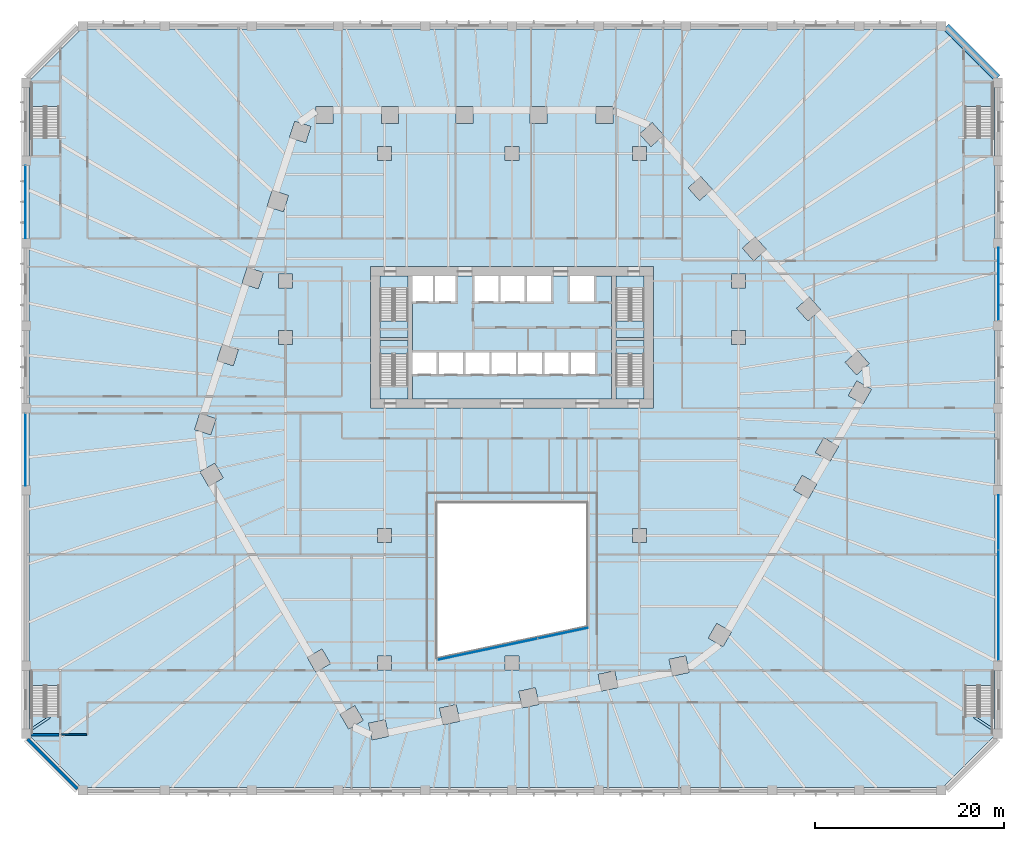
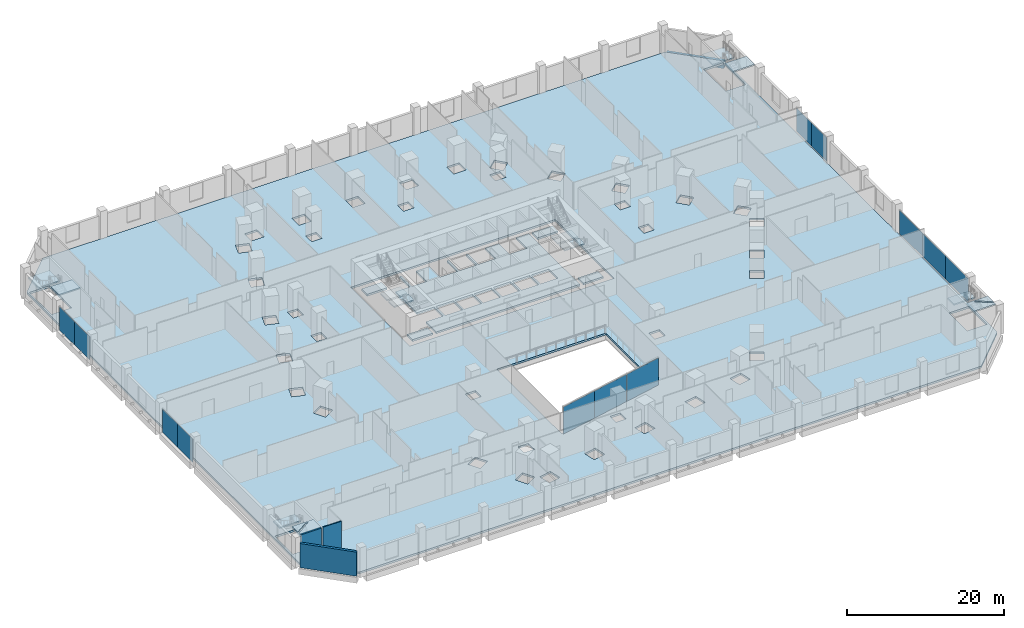
# One storey, part 13 of 33: 18 slabs, 12 plates, 3 walls, 1 beam, 13 elements without a shape of their own.
"""IFC4 building model written with IfcOpenShell, lengths in metres."""

from ifc_helpers import new_model, si_unit, direction, frame, frame_2d, origin, origin_2d, place, context, subcontext, project, spatial, polyline, rectangle, outline, extrude, material, layer, layer_set, material_profile, profile_set, type_object, element, aggregate, save


model = new_model("IFC4")

# Units and contexts
model_context = context("Model", 3, precision=1e-05, world=origin(), true_north=direction((0.0, 1.0)))
body_context = subcontext(model_context, "Body", "Model", "MODEL_VIEW")
ifc_project = project(units=[si_unit("LENGTHUNIT", "METRE"), si_unit("AREAUNIT", "SQUARE_METRE"), si_unit("VOLUMEUNIT", "CUBIC_METRE"), si_unit("PLANEANGLEUNIT", "RADIAN"), si_unit("MASSUNIT", "GRAM", prefix="KILO")], contexts=[model_context])

# Site, building, storey
site_placement = place(None, origin())
site = spatial("IfcSite", under=ifc_project, at=site_placement, CompositionType="ELEMENT")
building_placement = place(site_placement, origin())
building = spatial("IfcBuilding", under=site, at=building_placement, Name="Isthmus Gate Tower", CompositionType="ELEMENT")
storey_placement = place(building_placement, frame((0.0, 0.0, 31.5)))
storey = spatial("IfcBuildingStorey", under=building, at=storey_placement, Name="L05", CompositionType="ELEMENT", Elevation=31.5)

# Beam
ifc_material_1 = material(Name="Concrete f'c 70 MPa", Category="concrete")
ifc_material_profile = material_profile(ifc_material_1, rectangle(XDim=0.800048828125, YDim=0.89990234375, at=origin_2d()), Name="RC 800X900")
ifc_profile_set = profile_set([ifc_material_profile], Name="Concrete f'c 70 MPa")
beam_type = type_object("IfcBeamType", Name="RC EDGE BEAM 800 X 900", PredefinedType="BEAM", material=ifc_profile_set)
beam_placement = place(storey_placement, frame((46.0, 40.434326171875, -0.75), z_axis=(0.707106781187, -0.707106781187, 0.0), x_axis=(0.707106781187, 0.707106781187, 0.0)))
element("IfcBeam", 1, at=beam_placement, inside=storey, type_object=beam_type, Name="str-edgebeam-L05-19", PredefinedType="BEAM", context=body_context, shape_type="SweptSolid", body=[
    extrude(rectangle(XDim=0.800048828125, YDim=0.89990234375, at=origin_2d()), origin(), (0.0, 0.0, 1.0), 7.685302734375),
])

# Slabs
ifc_material_2 = material(Name="Concrete f'c 40 MPa", Category="concrete")
ifc_layer_1 = layer(ifc_material_2, 0.300048828125)
ifc_layer_set_1 = layer_set([ifc_layer_1], Name="CORE FLOOR SLAB 300")
slab_type_1 = type_object("IfcSlabType", Name="CORE FLOOR SLAB 300", PredefinedType="FLOOR", material=ifc_layer_set_1)
slab_1_placement = place(storey_placement, frame((0.0, 0.0, -0.300048828125)))
element("IfcSlab", 2, at=slab_1_placement, inside=storey, type_object=slab_type_1, Name="L05 core floor", PredefinedType="FLOOR", context=body_context, shape_type="SweptSolid", body=[
    extrude(outline(polyline([(-11.050048828125, 1.0), (-11.050048828125, 2.402099609375), (-14.0, 2.402099609375), (-14.0, 1.0), (-11.050048828125, 1.0)])), origin(), (0.0, 0.0, 1.0), 0.300048828125),
])
slab_2_placement = place(storey_placement, frame((0.0, 0.0, -0.300048828125)))
element("IfcSlab", 3, at=slab_2_placement, inside=storey, type_object=slab_type_1, Name="L05 core floor", PredefinedType="FLOOR", context=body_context, shape_type="SweptSolid", body=[
    extrude(outline(polyline([(-14.0, 14.0), (-14.0, 12.597900390625), (-11.050048828125, 12.597900390625), (-11.050048828125, 14.0), (-14.0, 14.0)])), origin(), (0.0, 0.0, 1.0), 0.300048828125),
])
slab_3_placement = place(storey_placement, frame((0.0, 0.0, -0.300048828125)))
element("IfcSlab", 4, at=slab_3_placement, inside=storey, type_object=slab_type_1, Name="L05 core floor", PredefinedType="FLOOR", context=body_context, shape_type="SweptSolid", body=[
    extrude(outline(polyline([(10.550048828125, 14.0), (8.699951171875, 14.0), (8.699951171875, 11.300048828125), (6.14990234375, 11.300048828125), (6.14990234375, 14.0), (4.14990234375, 14.0), (4.14990234375, 11.300048828125), (1.60009765625, 11.300048828125), (1.60009765625, 14.0), (1.35009765625, 14.0), (1.35009765625, 11.300048828125), (-1.199951171875, 11.300048828125), (-1.199951171875, 14.0), (-1.449951171875, 14.0), (-1.449951171875, 11.300048828125), (-4.0, 11.300048828125), (-4.0, 14.0), (-6.0, 14.0), (-6.0, 11.300048828125), (-8.14990234375, 11.300048828125), (-8.14990234375, 14.0), (-8.39990234375, 14.0), (-8.39990234375, 11.300048828125), (-10.550048828125, 11.300048828125), (-10.550048828125, 5.89990234375), (-8.0, 5.89990234375), (-8.0, 3.60009765625), (-10.550048828125, 3.60009765625), (-10.550048828125, 1.0), (10.550048828125, 1.0), (10.550048828125, 14.0)]), holes=[polyline([(-5.199951171875, 5.89990234375), (-5.199951171875, 3.60009765625), (-7.75, 3.60009765625), (-7.75, 5.89990234375), (-5.199951171875, 5.89990234375)]), polyline([(-2.39990234375, 5.89990234375), (-2.39990234375, 3.60009765625), (-4.949951171875, 3.60009765625), (-4.949951171875, 5.89990234375), (-2.39990234375, 5.89990234375)]), polyline([(0.39990234375, 5.89990234375), (0.39990234375, 3.60009765625), (-2.14990234375, 3.60009765625), (-2.14990234375, 5.89990234375), (0.39990234375, 5.89990234375)]), polyline([(3.199951171875, 5.89990234375), (3.199951171875, 3.60009765625), (0.64990234375, 3.60009765625), (0.64990234375, 5.89990234375), (3.199951171875, 5.89990234375)]), polyline([(6.0, 5.89990234375), (6.0, 3.60009765625), (3.449951171875, 3.60009765625), (3.449951171875, 5.89990234375), (6.0, 5.89990234375)]), polyline([(8.800048828125, 5.89990234375), (8.800048828125, 3.60009765625), (6.25, 3.60009765625), (6.25, 5.89990234375), (8.800048828125, 5.89990234375)])]), origin(), (0.0, 0.0, 1.0), 0.300048828125),
])
slab_4_placement = place(storey_placement, frame((0.0, 0.0, -0.300048828125)))
element("IfcSlab", 5, at=slab_4_placement, inside=storey, type_object=slab_type_1, Name="L05 core floor", PredefinedType="FLOOR", context=body_context, shape_type="SweptSolid", body=[
    extrude(outline(polyline([(14.0, 1.0), (14.0, 2.402099609375), (11.050048828125, 2.402099609375), (11.050048828125, 1.0), (14.0, 1.0)])), origin(), (0.0, 0.0, 1.0), 0.300048828125),
])
slab_5_placement = place(storey_placement, frame((0.0, 0.0, -0.300048828125)))
element("IfcSlab", 6, at=slab_5_placement, inside=storey, type_object=slab_type_1, Name="L05 core floor", PredefinedType="FLOOR", context=body_context, shape_type="SweptSolid", body=[
    extrude(outline(polyline([(11.050048828125, 14.0), (11.050048828125, 12.597900390625), (14.0, 12.597900390625), (14.0, 14.0), (11.050048828125, 14.0)])), origin(), (0.0, 0.0, 1.0), 0.300048828125),
])

# Curtain wall, plates
ifc_material_3 = material(Name="Aluminium, pale champagne anodised", Category="aluminium")
ifc_layer_2 = layer(ifc_material_3, 0.14990234375)
ifc_layer_set_2 = layer_set([ifc_layer_2], Name="CW-3 STOREFRONT CURTAIN WALL 150 DEEP")
curtain_wall_type_1 = type_object("IfcCurtainWallType", Name="CW-3 STOREFRONT CURTAIN WALL 150 DEEP", PredefinedType="NOTDEFINED", material=ifc_layer_set_2)
curtain_wall_1_placement = place(storey_placement, origin())
curtain_wall_1 = element("IfcCurtainWall", 7, at=curtain_wall_1_placement, inside=storey, type_object=curtain_wall_type_1, Name="CW-3 E L05", PredefinedType="NOTDEFINED")
ifc_material_4 = material(Name="Laminated low-iron glass, clear", Category="glass")
ifc_layer_3 = layer(ifc_material_4, 0.028076171875)
ifc_layer_set_3 = layer_set([ifc_layer_3], Name="CW-3 CLEAR GLASS LITE 28")
plate_type_1 = type_object("IfcPlateType", Name="CW-3 CLEAR GLASS LITE 28", PredefinedType="CURTAIN_PANEL", material=ifc_layer_set_3)
plate_1_placement = place(storey_placement, frame((51.574951171875, -23.836669921875, -0.300048828125), z_axis=(0.0, 0.0, 1.0), x_axis=(0.0, 1.0, 0.0)))
plate_1 = element("IfcPlate", 8, at=plate_1_placement, type_object=plate_type_1, Name="CW-3 glass lite", PredefinedType="CURTAIN_PANEL", context=body_context, shape_type="SweptSolid", body=[
    extrude(rectangle(XDim=5.806640625, YDim=0.028076171875, at=origin_2d()), origin(), (0.0, 0.0, 1.0), 3.6298828125),
])
plate_2_placement = place(storey_placement, frame((51.574951171875, -18.0, -0.300048828125), z_axis=(0.0, 0.0, 1.0), x_axis=(0.0, 1.0, 0.0)))
plate_2 = element("IfcPlate", 9, at=plate_2_placement, type_object=plate_type_1, Name="CW-3 glass lite", PredefinedType="CURTAIN_PANEL", context=body_context, shape_type="SweptSolid", body=[
    extrude(rectangle(XDim=5.86669921875, YDim=0.028076171875, at=origin_2d()), origin(), (0.0, 0.0, 1.0), 3.6298828125),
])
plate_3_placement = place(storey_placement, frame((51.574951171875, -12.103271484375, -0.300048828125), z_axis=(0.0, 0.0, 1.0), x_axis=(0.0, 1.0, 0.0)))
plate_3 = element("IfcPlate", 10, at=plate_3_placement, type_object=plate_type_1, Name="CW-3 glass lite", PredefinedType="CURTAIN_PANEL", context=body_context, shape_type="SweptSolid", body=[
    extrude(rectangle(XDim=5.806640625, YDim=0.028076171875, at=origin_2d()), origin(), (0.0, 0.0, 1.0), 3.6298828125),
])
aggregate(curtain_wall_1, [plate_1, plate_2, plate_3])

curtain_wall_2_placement = place(storey_placement, origin())
curtain_wall_2 = element("IfcCurtainWall", 11, at=curtain_wall_2_placement, inside=storey, type_object=curtain_wall_type_1, Name="CW-3 E L05", PredefinedType="NOTDEFINED")
plate_4_placement = place(storey_placement, frame((51.574951171875, 11.217529296875, -0.300048828125), z_axis=(0.0, 0.0, 1.0), x_axis=(0.0, 1.0, 0.0)))
plate_4 = element("IfcPlate", 12, at=plate_4_placement, type_object=plate_type_1, Name="CW-3 glass lite", PredefinedType="CURTAIN_PANEL", context=body_context, shape_type="SweptSolid", body=[
    extrude(rectangle(XDim=3.81494140625, YDim=0.028076171875, at=origin_2d()), origin(), (0.0, 0.0, 1.0), 3.6298828125),
])
plate_5_placement = place(storey_placement, frame((51.574951171875, 15.0625, -0.300048828125), z_axis=(0.0, 0.0, 1.0), x_axis=(0.0, 1.0, 0.0)))
plate_5 = element("IfcPlate", 13, at=plate_5_placement, type_object=plate_type_1, Name="CW-3 glass lite", PredefinedType="CURTAIN_PANEL", context=body_context, shape_type="SweptSolid", body=[
    extrude(rectangle(XDim=3.875, YDim=0.028076171875, at=origin_2d()), origin(), (0.0, 0.0, 1.0), 3.6298828125),
])
aggregate(curtain_wall_2, [plate_4, plate_5])

curtain_wall_3_placement = place(storey_placement, origin())
curtain_wall_3 = element("IfcCurtainWall", 14, at=curtain_wall_3_placement, inside=storey, type_object=curtain_wall_type_1, Name="CW-3 W L05", PredefinedType="NOTDEFINED")
plate_6_placement = place(storey_placement, frame((-51.574951171875, 23.782470703125, -0.300048828125), z_axis=(0.0, 0.0, 1.0), x_axis=(0.0, -1.0, 0.0)))
plate_6 = element("IfcPlate", 15, at=plate_6_placement, type_object=plate_type_1, Name="CW-3 glass lite", PredefinedType="CURTAIN_PANEL", context=body_context, shape_type="SweptSolid", body=[
    extrude(rectangle(XDim=3.81494140625, YDim=0.028076171875, at=origin_2d()), origin(), (0.0, 0.0, 1.0), 3.6298828125),
])
plate_7_placement = place(storey_placement, frame((-51.574951171875, 19.9375, -0.300048828125), z_axis=(0.0, 0.0, 1.0), x_axis=(0.0, -1.0, 0.0)))
plate_7 = element("IfcPlate", 16, at=plate_7_placement, type_object=plate_type_1, Name="CW-3 glass lite", PredefinedType="CURTAIN_PANEL", context=body_context, shape_type="SweptSolid", body=[
    extrude(rectangle(XDim=3.875, YDim=0.028076171875, at=origin_2d()), origin(), (0.0, 0.0, 1.0), 3.6298828125),
])
aggregate(curtain_wall_3, [plate_6, plate_7])

curtain_wall_4_placement = place(storey_placement, origin())
curtain_wall_4 = element("IfcCurtainWall", 17, at=curtain_wall_4_placement, inside=storey, type_object=curtain_wall_type_1, Name="CW-3 W L05", PredefinedType="NOTDEFINED")
plate_8_placement = place(storey_placement, frame((-51.574951171875, -2.455078125, -0.300048828125), z_axis=(0.0, 0.0, 1.0), x_axis=(0.0, -1.0, 0.0)))
plate_8 = element("IfcPlate", 18, at=plate_8_placement, type_object=plate_type_1, Name="CW-3 glass lite", PredefinedType="CURTAIN_PANEL", context=body_context, shape_type="SweptSolid", body=[
    extrude(rectangle(XDim=3.7900390625, YDim=0.028076171875, at=origin_2d()), origin(), (0.0, 0.0, 1.0), 3.6298828125),
])
plate_9_placement = place(storey_placement, frame((-51.574951171875, -6.27490234375, -0.300048828125), z_axis=(0.0, 0.0, 1.0), x_axis=(0.0, -1.0, 0.0)))
plate_9 = element("IfcPlate", 19, at=plate_9_placement, type_object=plate_type_1, Name="CW-3 glass lite", PredefinedType="CURTAIN_PANEL", context=body_context, shape_type="SweptSolid", body=[
    extrude(rectangle(XDim=3.85009765625, YDim=0.028076171875, at=origin_2d()), origin(), (0.0, 0.0, 1.0), 3.6298828125),
])
aggregate(curtain_wall_4, [plate_8, plate_9])

ifc_material_5 = material(Name="Aluminium, pale champagne anodised", Category="aluminium")
ifc_layer_4 = layer(ifc_material_5, 0.199951171875)
ifc_layer_set_4 = layer_set([ifc_layer_4], Name="CW-4 ATRIUM CURTAIN WALL 200 DEEP")
curtain_wall_type_2 = type_object("IfcCurtainWallType", Name="CW-4 ATRIUM CURTAIN WALL 200 DEEP", PredefinedType="NOTDEFINED", material=ifc_layer_set_4)
curtain_wall_5_placement = place(storey_placement, origin())
curtain_wall_5 = element("IfcCurtainWall", 20, at=curtain_wall_5_placement, inside=storey, type_object=curtain_wall_type_2, Name="CW-4 atrium south L05", PredefinedType="NOTDEFINED")
ifc_material_6 = material(Name="Laminated low-iron glass, clear", Category="glass")
ifc_layer_5 = layer(ifc_material_6, 0.0439453125)
ifc_layer_set_5 = layer_set([ifc_layer_5], Name="CW-4 ATRIUM GLASS PANEL 44")
plate_type_2 = type_object("IfcPlateType", Name="CW-4 ATRIUM GLASS PANEL 44", PredefinedType="CURTAIN_PANEL", material=ifc_layer_set_5)
plate_10_placement = place(storey_placement, frame((-5.262939453125, -26.11572265625, 0.0), z_axis=(0.0, 0.0, 1.0), x_axis=(0.978147600734, 0.207911690818, 0.0)))
plate_10 = element("IfcPlate", 21, at=plate_10_placement, type_object=plate_type_2, Name="CW-4 louvre panel", PredefinedType="CURTAIN_PANEL", context=body_context, shape_type="SweptSolid", body=[
    extrude(rectangle(XDim=5.37255859375, YDim=0.0439453125, at=origin_2d()), origin(), (0.0, 0.0, 1.0), 4.199951171875),
])
plate_11_placement = place(storey_placement, frame((0.03125, -24.990234375, 0.0), z_axis=(0.0, 0.0, 1.0), x_axis=(0.978147600734, 0.207911690818, 0.0)))
plate_11 = element("IfcPlate", 22, at=plate_11_placement, type_object=plate_type_2, Name="CW-4 louvre panel", PredefinedType="CURTAIN_PANEL", context=body_context, shape_type="SweptSolid", body=[
    extrude(rectangle(XDim=5.452392578125, YDim=0.0439453125, at=origin_2d()), origin(), (0.0, 0.0, 1.0), 4.199951171875),
])
plate_12_placement = place(storey_placement, frame((5.403564453125, -23.848388671875, 0.0), z_axis=(0.0, 0.0, 1.0), x_axis=(0.978147600734, 0.207911690818, 0.0)))
plate_12 = element("IfcPlate", 23, at=plate_12_placement, type_object=plate_type_2, Name="CW-4 louvre panel", PredefinedType="CURTAIN_PANEL", context=body_context, shape_type="SweptSolid", body=[
    extrude(rectangle(XDim=5.37255859375, YDim=0.0439453125, at=origin_2d()), origin(), (0.0, 0.0, 1.0), 4.199951171875),
])
aggregate(curtain_wall_5, [plate_10, plate_11, plate_12])

# Slab
ifc_material_7 = material(Name="Concrete f'c 40 MPa", Category="concrete")
ifc_layer_6 = layer(ifc_material_7, 0.300048828125)
ifc_layer_set_6 = layer_set([ifc_layer_6], Name="PODIUM FLOOR SLAB 300")
slab_type_2 = type_object("IfcSlabType", Name="PODIUM FLOOR SLAB 300", PredefinedType="FLOOR", material=ifc_layer_set_6)
slab_6_placement = place(storey_placement, frame((0.0, 0.0, -0.300048828125)))
element("IfcSlab", 24, at=slab_6_placement, inside=storey, type_object=slab_type_2, Name="str-slab-L05-1", PredefinedType="FLOOR", context=body_context, shape_type="SweptSolid", body=[
    extrude(outline(polyline([(-51.199951171875, -34.668701171875), (-51.199951171875, 34.668701171875), (-45.668701171875, 40.199951171875), (45.668701171875, 40.199951171875), (51.199951171875, 34.668701171875), (51.199951171875, -34.668701171875), (45.668701171875, -40.199951171875), (-45.668701171875, -40.199951171875), (-51.199951171875, -34.668701171875)]), holes=[polyline([(-13.06494140625, -34.777099609375), (-13.439208984375, -33.016357421875), (-15.19970703125, -33.390625), (-14.82568359375, -35.1513671875), (-13.06494140625, -34.777099609375)]), polyline([(-17.32470703125, -33.99267578125), (-15.765869140625, -33.0927734375), (-16.666015625, -31.533935546875), (-18.224609375, -32.433837890625), (-17.32470703125, -33.99267578125)]), polyline([(-48.0, -32.52490234375), (-48.0, -27.928955078125), (-50.949951171875, -27.928955078125), (-50.949951171875, -32.52490234375), (-48.0, -32.52490234375)]), polyline([(-21.696533203125, -26.420654296875), (-20.79638671875, -27.9794921875), (-19.237548828125, -27.079345703125), (-20.1376953125, -25.5205078125), (-21.696533203125, -26.420654296875)]), polyline([(-31.5048828125, -5.831787109375), (-33.063720703125, -6.73193359375), (-32.163818359375, -8.290771484375), (-30.60498046875, -7.390869140625), (-31.5048828125, -5.831787109375)]), polyline([(-33.08984375, -0.548828125), (-33.64599609375, -2.2607421875), (-31.93408203125, -2.817138671875), (-31.3779296875, -1.105224609375), (-33.08984375, -0.548828125)]), polyline([(-30.7138671875, 6.76416015625), (-31.27001953125, 5.052001953125), (-29.55810546875, 4.495849609375), (-29.001953125, 6.207763671875), (-30.7138671875, 6.76416015625)]), polyline([(-24.75, 8.25), (-24.75, 6.75), (-23.25, 6.75), (-23.25, 8.25), (-24.75, 8.25)]), polyline([(-24.75, 12.75), (-23.25, 12.75), (-23.25, 14.25), (-24.75, 14.25), (-24.75, 12.75)]), polyline([(-26.34765625, 14.376708984375), (-28.0595703125, 14.93310546875), (-28.61572265625, 13.22119140625), (-26.90380859375, 12.664794921875), (-26.34765625, 14.376708984375)]), polyline([(-23.693359375, 22.545654296875), (-25.4052734375, 23.10205078125), (-25.96142578125, 21.389892578125), (-24.24951171875, 20.833740234375), (-23.693359375, 22.545654296875)]), polyline([(-14.25, 26.25), (-12.75, 26.25), (-12.75, 27.75), (-14.25, 27.75), (-14.25, 26.25)]), polyline([(-23.585205078125, 28.702880859375), (-21.873291015625, 28.146728515625), (-21.317138671875, 29.858642578125), (-23.029052734375, 30.4150390625), (-23.585205078125, 28.702880859375)]), polyline([(-20.776123046875, 32.0), (-20.776123046875, 30.199951171875), (-18.976318359375, 30.199951171875), (-18.976318359375, 32.0), (-20.776123046875, 32.0)]), polyline([(-50.949951171875, 28.824951171875), (-48.0, 28.824951171875), (-48.0, 34.425048828125), (-50.949951171875, 34.425048828125), (-50.949951171875, 28.824951171875)]), polyline([(-7.30419921875, -33.552490234375), (-5.543701171875, -33.17822265625), (-5.917724609375, -31.417724609375), (-7.678466796875, -31.7919921875), (-7.30419921875, -33.552490234375)]), polyline([(2.858154296875, -31.392578125), (2.48388671875, -29.6318359375), (0.72314453125, -30.006103515625), (1.097412109375, -31.7666015625), (2.858154296875, -31.392578125)]), polyline([(9.4990234375, -29.98095703125), (11.259765625, -29.606689453125), (10.885498046875, -27.845947265625), (9.124755859375, -28.22021484375), (9.4990234375, -29.98095703125)]), polyline([(-14.25, -26.25), (-14.25, -27.75), (-12.75, -27.75), (-12.75, -26.25), (-14.25, -26.25)]), polyline([(-0.75, -27.75), (0.75, -27.75), (0.75, -26.25), (-0.75, -26.25), (-0.75, -27.75)]), polyline([(-8.0, -10.0), (-8.0, -26.544189453125), (8.0, -23.143310546875), (8.0, -10.0), (-8.0, -10.0)]), polyline([(-14.25, -12.75), (-14.25, -14.25), (-12.75, -14.25), (-12.75, -12.75), (-14.25, -12.75)]), polyline([(12.75, -14.25), (14.25, -14.25), (14.25, -12.75), (12.75, -12.75), (12.75, -14.25)]), polyline([(15.0, 0.0), (15.0, 15.0), (-15.0, 15.0), (-15.0, 0.0), (15.0, 0.0)]), polyline([(-0.75, 26.25), (0.75, 26.25), (0.75, 27.75), (-0.75, 27.75), (-0.75, 26.25)]), polyline([(12.75, 27.75), (12.75, 26.25), (14.25, 26.25), (14.25, 27.75), (12.75, 27.75)]), polyline([(-12.006591796875, 30.199951171875), (-12.006591796875, 32.0), (-13.806640625, 32.0), (-13.806640625, 30.199951171875), (-12.006591796875, 30.199951171875)]), polyline([(-4.13720703125, 32.0), (-5.937255859375, 32.0), (-5.937255859375, 30.199951171875), (-4.13720703125, 30.199951171875), (-4.13720703125, 32.0)]), polyline([(3.732421875, 30.199951171875), (3.732421875, 32.0), (1.932373046875, 32.0), (1.932373046875, 30.199951171875), (3.732421875, 30.199951171875)]), polyline([(10.701904296875, 30.199951171875), (10.701904296875, 32.0), (8.90185546875, 32.0), (8.90185546875, 30.199951171875), (10.701904296875, 30.199951171875)]), polyline([(50.949951171875, -32.52490234375), (50.949951171875, -27.928955078125), (48.0, -27.928955078125), (48.0, -32.52490234375), (50.949951171875, -32.52490234375)]), polyline([(17.020263671875, -28.382080078125), (18.781005859375, -28.008056640625), (18.40673828125, -26.247314453125), (16.64599609375, -26.62158203125), (17.020263671875, -28.382080078125)]), polyline([(22.36181640625, -25.26806640625), (23.261962890625, -23.709228515625), (21.702880859375, -22.80908203125), (20.802978515625, -24.3681640625), (22.36181640625, -25.26806640625)]), polyline([(32.319580078125, -8.0205078125), (30.760986328125, -7.12060546875), (29.86083984375, -8.679443359375), (31.419677734375, -9.579345703125), (32.319580078125, -8.0205078125)]), polyline([(34.6162109375, -4.04296875), (33.057373046875, -3.14306640625), (32.1572265625, -4.701904296875), (33.71630859375, -5.601806640625), (34.6162109375, -4.04296875)]), polyline([(37.200927734375, 0.433837890625), (38.100830078125, 1.99267578125), (36.5419921875, 2.892578125), (35.64208984375, 1.333984375), (37.200927734375, 0.433837890625)]), polyline([(36.51708984375, 3.531982421875), (37.854736328125, 4.736328125), (36.650146484375, 6.073974609375), (35.3125, 4.869384765625), (36.51708984375, 3.531982421875)]), polyline([(23.25, 8.25), (23.25, 6.75), (24.75, 6.75), (24.75, 8.25), (23.25, 8.25)]), polyline([(31.505126953125, 11.788330078125), (30.16748046875, 10.583740234375), (31.371826171875, 9.24609375), (32.70947265625, 10.45068359375), (31.505126953125, 11.788330078125)]), polyline([(23.25, 14.25), (23.25, 12.75), (24.75, 12.75), (24.75, 14.25), (23.25, 14.25)]), polyline([(25.62451171875, 15.62939453125), (26.962158203125, 16.833740234375), (25.7578125, 18.17138671875), (24.419921875, 16.967041015625), (25.62451171875, 15.62939453125)]), polyline([(21.214599609375, 23.216796875), (20.01025390625, 24.554443359375), (18.672607421875, 23.35009765625), (19.877197265625, 22.012451171875), (21.214599609375, 23.216796875)]), polyline([(16.069580078125, 28.93115234375), (14.864990234375, 30.268798828125), (13.52734375, 29.064453125), (14.73193359375, 27.726806640625), (16.069580078125, 28.93115234375)]), polyline([(48.0, 28.824951171875), (50.949951171875, 28.824951171875), (50.949951171875, 34.425048828125), (48.0, 34.425048828125), (48.0, 28.824951171875)])]), origin(), (0.0, 0.0, 1.0), 0.300048828125),
])

# Stair, slab
ifc_material_8 = material(Name="Concrete f'c 40 MPa", Category="concrete")
stair_type_1 = type_object("IfcStairType", Name="Podium exit stair 1400 wide flights", PredefinedType="HALF_TURN_STAIR", material=ifc_material_8)
stair_1_placement = place(storey_placement, origin())
stair_1 = element("IfcStair", 25, at=stair_1_placement, inside=storey, type_object=stair_type_1, Name="L05 Podium Exit Stair ST3", PredefinedType="HALF_TURN_STAIR")
ifc_material_9 = material(Name="Concrete f'c 40 MPa", Category="concrete")
ifc_layer_7 = layer(ifc_material_9, 0.199951171875)
ifc_layer_set_7 = layer_set([ifc_layer_7], Name="Podium stair landing 200")
slab_type_3 = type_object("IfcSlabType", Name="Podium stair landing 200", PredefinedType="LANDING", material=ifc_layer_set_7)
slab_7_placement = place(storey_placement, frame((0.0, 0.0, 2.050048828125)))
slab_7 = element("IfcSlab", 26, at=slab_7_placement, type_object=slab_type_3, Name="ST3 landing 1", PredefinedType="LANDING", context=body_context, shape_type="SweptSolid", body=[
    extrude(outline(polyline([(-47.89990234375, -29.364990234375), (-47.89990234375, -27.72900390625), (-51.050048828125, -27.72900390625), (-51.050048828125, -29.364990234375), (-47.89990234375, -29.364990234375)])), origin(), (0.0, 0.0, 1.0), 0.199951171875),
])
aggregate(stair_1, [slab_7])

stair_2_placement = place(storey_placement, origin())
stair_2 = element("IfcStair", 27, at=stair_2_placement, inside=storey, type_object=stair_type_1, Name="L05 Podium Exit Stair ST4", PredefinedType="HALF_TURN_STAIR")
slab_8_placement = place(storey_placement, frame((0.0, 0.0, 2.050048828125)))
slab_8 = element("IfcSlab", 28, at=slab_8_placement, type_object=slab_type_3, Name="ST4 landing 1", PredefinedType="LANDING", context=body_context, shape_type="SweptSolid", body=[
    extrude(outline(polyline([(51.050048828125, -29.364990234375), (51.050048828125, -27.72900390625), (47.89990234375, -27.72900390625), (47.89990234375, -29.364990234375), (51.050048828125, -29.364990234375)])), origin(), (0.0, 0.0, 1.0), 0.199951171875),
])
aggregate(stair_2, [slab_8])

stair_3_placement = place(storey_placement, origin())
stair_3 = element("IfcStair", 29, at=stair_3_placement, inside=storey, type_object=stair_type_1, Name="L05 Podium Exit Stair ST5", PredefinedType="HALF_TURN_STAIR")
slab_9_placement = place(storey_placement, frame((0.0, 0.0, 2.050048828125)))
slab_9 = element("IfcSlab", 30, at=slab_9_placement, type_object=slab_type_3, Name="ST5 landing 1", PredefinedType="LANDING", context=body_context, shape_type="SweptSolid", body=[
    extrude(outline(polyline([(51.050048828125, 31.985107421875), (51.050048828125, 34.625), (47.89990234375, 34.625), (47.89990234375, 31.985107421875), (51.050048828125, 31.985107421875)])), origin(), (0.0, 0.0, 1.0), 0.199951171875),
])
aggregate(stair_3, [slab_9])

stair_4_placement = place(storey_placement, origin())
stair_4 = element("IfcStair", 31, at=stair_4_placement, inside=storey, type_object=stair_type_1, Name="L05 Podium Exit Stair ST6", PredefinedType="HALF_TURN_STAIR")
slab_10_placement = place(storey_placement, frame((0.0, 0.0, 2.050048828125)))
slab_10 = element("IfcSlab", 32, at=slab_10_placement, type_object=slab_type_3, Name="ST6 landing 1", PredefinedType="LANDING", context=body_context, shape_type="SweptSolid", body=[
    extrude(outline(polyline([(-47.89990234375, 31.985107421875), (-47.89990234375, 34.625), (-51.050048828125, 34.625), (-51.050048828125, 31.985107421875), (-47.89990234375, 31.985107421875)])), origin(), (0.0, 0.0, 1.0), 0.199951171875),
])
aggregate(stair_4, [slab_10])

# Slabs
slab_11_placement = place(storey_placement, frame((0.0, 0.0, 4.14990234375)))
element("IfcSlab", 33, at=slab_11_placement, inside=storey, type_object=slab_type_3, Name="ST3 arrival landing", PredefinedType="LANDING", context=body_context, shape_type="SweptSolid", body=[
    extrude(outline(polyline([(-47.89990234375, -32.52490234375), (-47.89990234375, -32.739990234375), (-47.89990234375, -34.574951171875), (-51.050048828125, -34.574951171875), (-51.050048828125, -34.2548828125), (-48.909912109375, -32.82470703125), (-48.96630859375, -32.739990234375), (-49.21484375, -32.739990234375), (-51.050048828125, -33.96630859375), (-51.050048828125, -32.739990234375), (-51.050048828125, -32.52490234375), (-47.89990234375, -32.52490234375)])), origin(), (0.0, 0.0, 1.0), 0.2001953125),
])
slab_12_placement = place(storey_placement, frame((0.0, 0.0, 4.14990234375)))
element("IfcSlab", 34, at=slab_12_placement, inside=storey, type_object=slab_type_3, Name="ST4 arrival landing", PredefinedType="LANDING", context=body_context, shape_type="SweptSolid", body=[
    extrude(outline(polyline([(47.89990234375, -34.574951171875), (47.89990234375, -32.739990234375), (47.89990234375, -32.52490234375), (51.050048828125, -32.52490234375), (51.050048828125, -32.739990234375), (51.050048828125, -33.96630859375), (49.21484375, -32.739990234375), (48.96630859375, -32.739990234375), (48.909912109375, -32.82470703125), (51.050048828125, -34.2548828125), (51.050048828125, -34.574951171875), (47.89990234375, -34.574951171875)])), origin(), (0.0, 0.0, 1.0), 0.2001953125),
])
slab_13_placement = place(storey_placement, frame((0.0, 0.0, 4.14990234375)))
element("IfcSlab", 35, at=slab_13_placement, inside=storey, type_object=slab_type_3, Name="ST5 arrival landing", PredefinedType="LANDING", context=body_context, shape_type="SweptSolid", body=[
    extrude(outline(polyline([(51.050048828125, 28.824951171875), (51.050048828125, 28.610107421875), (51.050048828125, 26.72509765625), (47.89990234375, 26.72509765625), (47.89990234375, 28.610107421875), (47.89990234375, 28.824951171875), (51.050048828125, 28.824951171875)])), origin(), (0.0, 0.0, 1.0), 0.2001953125),
])
slab_14_placement = place(storey_placement, frame((0.0, 0.0, 4.14990234375)))
element("IfcSlab", 36, at=slab_14_placement, inside=storey, type_object=slab_type_3, Name="ST6 arrival landing", PredefinedType="LANDING", context=body_context, shape_type="SweptSolid", body=[
    extrude(outline(polyline([(-47.89990234375, 28.824951171875), (-47.89990234375, 28.610107421875), (-47.89990234375, 26.72509765625), (-51.050048828125, 26.72509765625), (-51.050048828125, 28.610107421875), (-51.050048828125, 28.824951171875), (-47.89990234375, 28.824951171875)])), origin(), (0.0, 0.0, 1.0), 0.2001953125),
])

# Stair, slab
ifc_material_10 = material(Name="Concrete f'c 40 MPa", Category="concrete")
stair_type_2 = type_object("IfcStairType", Name="CORE STAIR 26 RISERS", PredefinedType="HALF_TURN_STAIR", material=ifc_material_10)
stair_5_placement = place(storey_placement, origin())
stair_5 = element("IfcStair", 37, at=stair_5_placement, inside=storey, type_object=stair_type_2, Name="L05 Exit Stair 1", PredefinedType="HALF_TURN_STAIR")
ifc_material_11 = material(Name="Concrete f'c 40 MPa", Category="concrete")
ifc_layer_8 = layer(ifc_material_11, 0.199951171875)
ifc_layer_set_8 = layer_set([ifc_layer_8])
slab_type_4 = type_object("IfcSlabType", Name="STAIR LANDING RC 200", PredefinedType="LANDING", material=ifc_layer_set_8)
slab_15_placement = place(storey_placement, frame((0.0, 0.0, 2.050048828125)))
slab_15 = element("IfcSlab", 38, at=slab_15_placement, type_object=slab_type_4, Name="ST1 landing 1", PredefinedType="LANDING", context=body_context, shape_type="SweptSolid", body=[
    extrude(outline(polyline([(-14.0, 9.239990234375), (-14.0, 7.5), (-11.050048828125, 7.5), (-11.050048828125, 9.239990234375), (-14.0, 9.239990234375)])), origin(), (0.0, 0.0, 1.0), 0.199951171875),
])
aggregate(stair_5, [slab_15])

stair_6_placement = place(storey_placement, origin())
stair_6 = element("IfcStair", 39, at=stair_6_placement, inside=storey, type_object=stair_type_2, Name="L05 Exit Stair 2", PredefinedType="HALF_TURN_STAIR")
slab_16_placement = place(storey_placement, frame((0.0, 0.0, 2.050048828125)))
slab_16 = element("IfcSlab", 40, at=slab_16_placement, type_object=slab_type_4, Name="ST2 landing 1", PredefinedType="LANDING", context=body_context, shape_type="SweptSolid", body=[
    extrude(outline(polyline([(11.050048828125, 9.239990234375), (11.050048828125, 7.5), (14.0, 7.5), (14.0, 9.239990234375), (11.050048828125, 9.239990234375)])), origin(), (0.0, 0.0, 1.0), 0.199951171875),
])
aggregate(stair_6, [slab_16])

stair_7_placement = place(storey_placement, origin())
stair_7 = element("IfcStair", 41, at=stair_7_placement, inside=storey, type_object=stair_type_2, Name="L05 Exit Stair 7", PredefinedType="HALF_TURN_STAIR")
slab_17_placement = place(storey_placement, frame((0.0, 0.0, 2.050048828125)))
slab_17 = element("IfcSlab", 42, at=slab_17_placement, type_object=slab_type_4, Name="ST7 landing 1", PredefinedType="LANDING", context=body_context, shape_type="SweptSolid", body=[
    extrude(outline(polyline([(-11.050048828125, 5.760009765625), (-11.050048828125, 7.199951171875), (-14.0, 7.199951171875), (-14.0, 5.760009765625), (-11.050048828125, 5.760009765625)])), origin(), (0.0, 0.0, 1.0), 0.199951171875),
])
aggregate(stair_7, [slab_17])

stair_8_placement = place(storey_placement, origin())
stair_8 = element("IfcStair", 43, at=stair_8_placement, inside=storey, type_object=stair_type_2, Name="L05 Exit Stair 8", PredefinedType="HALF_TURN_STAIR")
slab_18_placement = place(storey_placement, frame((0.0, 0.0, 2.050048828125)))
slab_18 = element("IfcSlab", 44, at=slab_18_placement, type_object=slab_type_4, Name="ST8 landing 1", PredefinedType="LANDING", context=body_context, shape_type="SweptSolid", body=[
    extrude(outline(polyline([(14.0, 5.760009765625), (14.0, 7.199951171875), (11.050048828125, 7.199951171875), (11.050048828125, 5.760009765625), (14.0, 5.760009765625)])), origin(), (0.0, 0.0, 1.0), 0.199951171875),
])
aggregate(stair_8, [slab_18])

# Walls
ifc_material_12 = material(Name="Fire-rated gypsum board on steel studs", Category="steel")
ifc_layer_9 = layer(ifc_material_12, 0.14990234375)
ifc_layer_set_9 = layer_set([ifc_layer_9], Name="Fire-rated partition 150 EI 60")
wall_type_1 = type_object("IfcWallType", Name="Fire-rated partition 150 EI 60", PredefinedType="PARTITIONING", material=ifc_layer_set_9)
wall_1_placement = place(storey_placement, frame((-47.75, -34.60009765625, 0.0), z_axis=(0.0, 0.0, 1.0), x_axis=(1.0, 0.0, 0.0)))
element("IfcWall", 45, at=wall_1_placement, inside=storey, type_object=wall_type_1, Name="Fire-rated partition", PredefinedType="PARTITIONING", context=body_context, shape_type="SweptSolid", body=[
    extrude(rectangle(XDim=2.675048828125, YDim=0.14990234375, at=frame_2d((1.33740234375, 0.0))), origin(), (0.0, 0.0, 1.0), 4.35009765625),
])
ifc_material_13 = material(Name="Precast concrete C40/50, limestone-faced", Category="masonry")
ifc_layer_10 = layer(ifc_material_13, 0.35009765625)
ifc_layer_set_10 = layer_set([ifc_layer_10], Name="PODIUM CLADDING WALL 350")
wall_type_2 = type_object("IfcWallType", Name="PODIUM CLADDING WALL 350", PredefinedType="SOLIDWALL", material=ifc_layer_set_10)
wall_2_placement = place(storey_placement, frame((-51.327392578125, -35.071533203125, -0.300048828125), z_axis=(0.0, 0.0, 1.0), x_axis=(0.707106781187, -0.707106781187, 0.0)))
element("IfcWall", 46, at=wall_2_placement, inside=storey, type_object=wall_type_2, Name="PODIUM WALL", PredefinedType="SOLIDWALL", context=body_context, shape_type="SweptSolid", body=[
    extrude(rectangle(XDim=7.432861328125, YDim=0.35009765625, at=frame_2d((3.71630859375, 0.0))), origin(), (0.0, 0.0, 1.0), 3.75),
])
ifc_material_14 = material(Name="Concrete f'c 40 MPa", Category="concrete")
ifc_layer_11 = layer(ifc_material_14, 0.25)
ifc_layer_set_11 = layer_set([ifc_layer_11])
wall_type_3 = type_object("IfcWallType", Name="Stair shaft wall 250 reinforced concrete", PredefinedType="SHEAR", material=ifc_layer_set_11)
wall_3_placement = place(storey_placement, frame((-51.0, -34.60009765625, 0.0), z_axis=(0.0, 0.0, 1.0), x_axis=(1.0, 0.0, 0.0)))
element("IfcWall", 47, at=wall_3_placement, inside=storey, type_object=wall_type_3, Name="Stair shaft wall", PredefinedType="SHEAR", context=body_context, shape_type="SweptSolid", body=[
    extrude(rectangle(XDim=3.0, YDim=0.25, at=frame_2d((1.5, 0.0))), origin(), (0.0, 0.0, 1.0), 4.35009765625),
])

save(model, "model.ifc")
